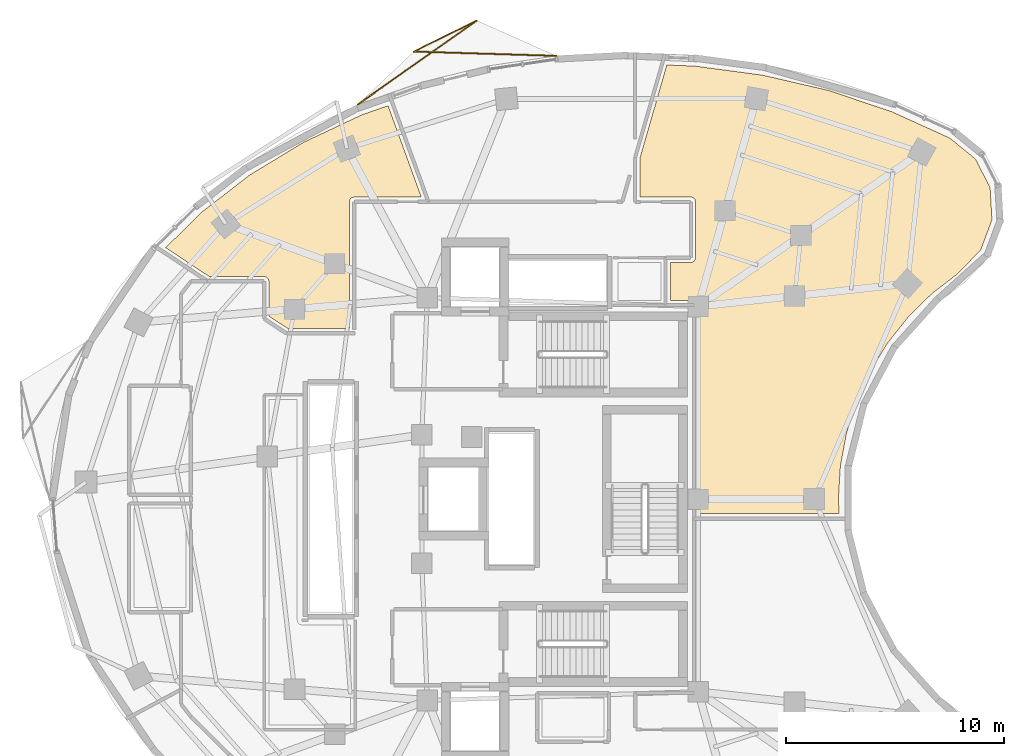
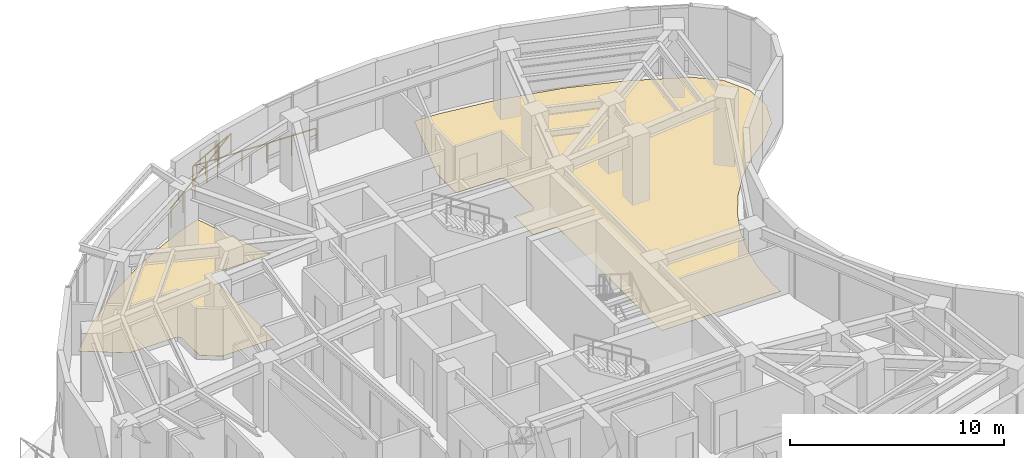
# One storey, part 13 of 13: 2 coverings, 1 railing.
"""IFC4 building model written with IfcOpenShell, lengths in metres."""

from ifc_helpers import new_model, si_unit, direction, frame, origin, origin_2d, place, context, subcontext, project, spatial, polyline, rectangle, outline, extrude, material, layer, layer_set, type_object, element, save


model = new_model("IFC4")

# Units and contexts
model_context = context("Model", 3, precision=1e-05, world=origin(), true_north=direction((0.0, 1.0)))
body_context = subcontext(model_context, "Body", "Model", "MODEL_VIEW")
ifc_project = project(units=[si_unit("LENGTHUNIT", "METRE"), si_unit("AREAUNIT", "SQUARE_METRE"), si_unit("VOLUMEUNIT", "CUBIC_METRE"), si_unit("PLANEANGLEUNIT", "RADIAN"), si_unit("MASSUNIT", "GRAM", prefix="KILO")], contexts=[model_context])

# Site, building, storey
site_placement = place(None, origin())
site = spatial("IfcSite", under=ifc_project, at=site_placement, CompositionType="ELEMENT")
building_placement = place(site_placement, origin())
building = spatial("IfcBuilding", under=site, at=building_placement, Name="Korentha Bioscience Tower", CompositionType="ELEMENT")
storey_placement = place(building_placement, frame((0.0, 0.0, 171.0)))
storey = spatial("IfcBuildingStorey", under=building, at=storey_placement, Name="L39", CompositionType="ELEMENT", Elevation=171.0)

# Railing
ifc_material_1 = material(Name="Laminated Tempered Safety Glass", Category="glass")
railing_type = type_object("IfcRailingType", Name="Laminated Glass Balcony Guardrail 1150", PredefinedType="BALUSTRADE", material=ifc_material_1)
railing_placement = place(storey_placement, frame((31.038330078125, 47.364013671875, 0.0)))
element("IfcRailing", 1, at=railing_placement, inside=storey, type_object=railing_type, Name="L39 Balcony Guardrail 01", PredefinedType="BALUSTRADE", context=body_context, shape_type="SweptSolid", body=[
    extrude(rectangle(XDim=0.048095703125, YDim=0.048095703125, at=origin_2d()), frame((0.0, 0.0, 1.1259765625), z_axis=(-0.999542032449, 0.030260954509, 0.0), x_axis=(-0.030260954509, -0.999542032449, 0.0)), (0.0, 0.0, 1.0), 6.55908203125),
    extrude(rectangle(XDim=0.048095703125, YDim=0.048095703125, at=origin_2d()), frame((-6.55615234375, 0.198486328125, 1.1259765625), z_axis=(0.896581526608, 0.442878726229, 0.0), x_axis=(-0.442878726229, 0.896581526608, 0.0)), (0.0, 0.0, 1.0), 3.225341796875),
    extrude(rectangle(XDim=0.048095703125, YDim=0.048095703125, at=origin_2d()), frame((-3.664306640625, 1.626953125, 1.1259765625), z_axis=(-0.816717092506, -0.577038292325, 0.0), x_axis=(0.577038292325, -0.816717092506, 0.0)), (0.0, 0.0, 1.0), 6.693359375),
    extrude(rectangle(XDim=0.0419921875, YDim=0.0419921875, at=origin_2d()), origin(), (0.0, 0.0, 1.0), 1.101806640625),
    extrude(rectangle(XDim=0.0419921875, YDim=0.0419921875, at=origin_2d()), frame((-1.311279296875, 0.039794921875, 0.0)), (0.0, 0.0, 1.0), 1.101806640625),
    extrude(rectangle(XDim=0.0419921875, YDim=0.0419921875, at=origin_2d()), frame((-2.62255859375, 0.079345703125, 0.0)), (0.0, 0.0, 1.0), 1.101806640625),
    extrude(rectangle(XDim=0.0419921875, YDim=0.0419921875, at=origin_2d()), frame((-3.93359375, 0.119140625, 0.0)), (0.0, 0.0, 1.0), 1.101806640625),
    extrude(rectangle(XDim=0.0419921875, YDim=0.0419921875, at=origin_2d()), frame((-5.244873046875, 0.15869140625, 0.0)), (0.0, 0.0, 1.0), 1.101806640625),
    extrude(rectangle(XDim=0.0419921875, YDim=0.0419921875, at=origin_2d()), frame((-6.55615234375, 0.198486328125, 0.0)), (0.0, 0.0, 1.0), 1.101806640625),
    extrude(rectangle(XDim=0.0419921875, YDim=0.0419921875, at=origin_2d()), frame((-5.59228515625, 0.674560546875, 0.0)), (0.0, 0.0, 1.0), 1.101806640625),
    extrude(rectangle(XDim=0.0419921875, YDim=0.0419921875, at=origin_2d()), frame((-4.628173828125, 1.15087890625, 0.0)), (0.0, 0.0, 1.0), 1.101806640625),
    extrude(rectangle(XDim=0.0419921875, YDim=0.0419921875, at=origin_2d()), frame((-3.664306640625, 1.626953125, 0.0)), (0.0, 0.0, 1.0), 1.101806640625),
    extrude(rectangle(XDim=0.0419921875, YDim=0.0419921875, at=origin_2d()), frame((-4.757568359375, 0.8544921875, 0.0)), (0.0, 0.0, 1.0), 1.101806640625),
    extrude(rectangle(XDim=0.0419921875, YDim=0.0419921875, at=origin_2d()), frame((-5.850830078125, 0.08203125, 0.0)), (0.0, 0.0, 1.0), 1.101806640625),
    extrude(rectangle(XDim=0.0419921875, YDim=0.0419921875, at=origin_2d()), frame((-6.9443359375, -0.6904296875, 0.0)), (0.0, 0.0, 1.0), 1.101806640625),
    extrude(rectangle(XDim=0.0419921875, YDim=0.0419921875, at=origin_2d()), frame((-8.03759765625, -1.462890625, 0.0)), (0.0, 0.0, 1.0), 1.101806640625),
    extrude(rectangle(XDim=0.0419921875, YDim=0.0419921875, at=origin_2d()), frame((-9.130859375, -2.2353515625, 0.0)), (0.0, 0.0, 1.0), 1.101806640625),
])

# Coverings
ifc_material_2 = material(Name="Chemical-Resistant Epoxy Resin", Category="polymer")
ifc_layer = layer(ifc_material_2, 0.011962890625, Name="Chemical-Resistant Epoxy Resin")
ifc_layer_set = layer_set([ifc_layer], Name="Chemical-Resistant Epoxy Resin (FL-EPX)")
covering_type = type_object("IfcCoveringType", Name="Seamless Epoxy Laboratory Flooring 12", PredefinedType="FLOORING", material=ifc_layer_set)
covering_1_placement = place(storey_placement, origin())
element("IfcCovering", 2, at=covering_1_placement, inside=storey, type_object=covering_type, Name="L39 Vaccine Formulation Cleanroom 05 Floor Finish", PredefinedType="FLOORING", context=body_context, shape_type="SweptSolid", body=[
    extrude(outline(polyline([(36.105712890625, 46.94580078125), (37.40185546875, 46.893798828125), (40.5166015625, 46.476318359375), (43.5419921875, 45.775146484375), (46.433837890625, 44.801025390625), (49.11376953125, 43.5849609375), (50.289306640625, 42.6240234375), (50.96044921875, 41.307861328125), (51.04541015625, 39.832763671875), (50.52978515625, 38.44775390625), (49.452392578125, 37.33740234375), (48.28173828125, 36.435791015625), (47.217041015625, 35.3896484375), (46.243408203125, 34.16552734375), (45.44091796875, 32.850341796875), (44.814208984375, 31.468994140625), (44.35546875, 30.004638671875), (44.079833984375, 28.50048828125), (43.989501953125, 27.022705078125), (44.029052734375, 26.327880859375), (37.580078125, 26.327880859375), (37.57763671875, 35.933349609375), (37.52001953125, 36.0546875), (37.44873046875, 36.107666015625), (37.38427734375, 36.12744140625), (36.280029296875, 36.1298828125), (36.280029296875, 37.8701171875), (37.234130859375, 37.87255859375), (37.35400390625, 37.92919921875), (37.423095703125, 38.043701171875), (37.427490234375, 40.68408203125), (37.3974609375, 40.767822265625), (37.35400390625, 40.82080078125), (37.27783203125, 40.866455078125), (37.2119140625, 40.879638671875), (34.8720703125, 40.8798828125), (34.8720703125, 42.669677734375), (36.105712890625, 46.94580078125)])), origin(), (0.0, 0.0, 1.0), 0.011962890625),
])
covering_2_placement = place(storey_placement, origin())
element("IfcCovering", 3, at=covering_2_placement, inside=storey, type_object=covering_type, Name="L39 Cold-Chain Stability Chamber 07 Floor Finish", PredefinedType="FLOORING", context=body_context, shape_type="SweptSolid", body=[
    extrude(outline(polyline([(14.726806640625, 40.175537109375), (16.940673828125, 41.890380859375), (19.41064453125, 43.3916015625), (22.100830078125, 44.656005859375), (23.29833984375, 45.07666015625), (24.825927734375, 40.8798828125), (21.7392578125, 40.879638671875), (21.632080078125, 40.847412109375), (21.552490234375, 40.767822265625), (21.52001953125, 40.64990234375), (21.52001953125, 34.830078125), (18.699462890625, 34.830078125), (17.830078125, 35.406005859375), (17.82958984375, 37.01171875), (17.797119140625, 37.11865234375), (17.71875, 37.197021484375), (17.60009765625, 37.22998046875), (15.07568359375, 37.22998046875), (13.081787109375, 38.550537109375), (14.726806640625, 40.175537109375)])), origin(), (0.0, 0.0, 1.0), 0.011962890625),
])

save(model, "model.ifc")
